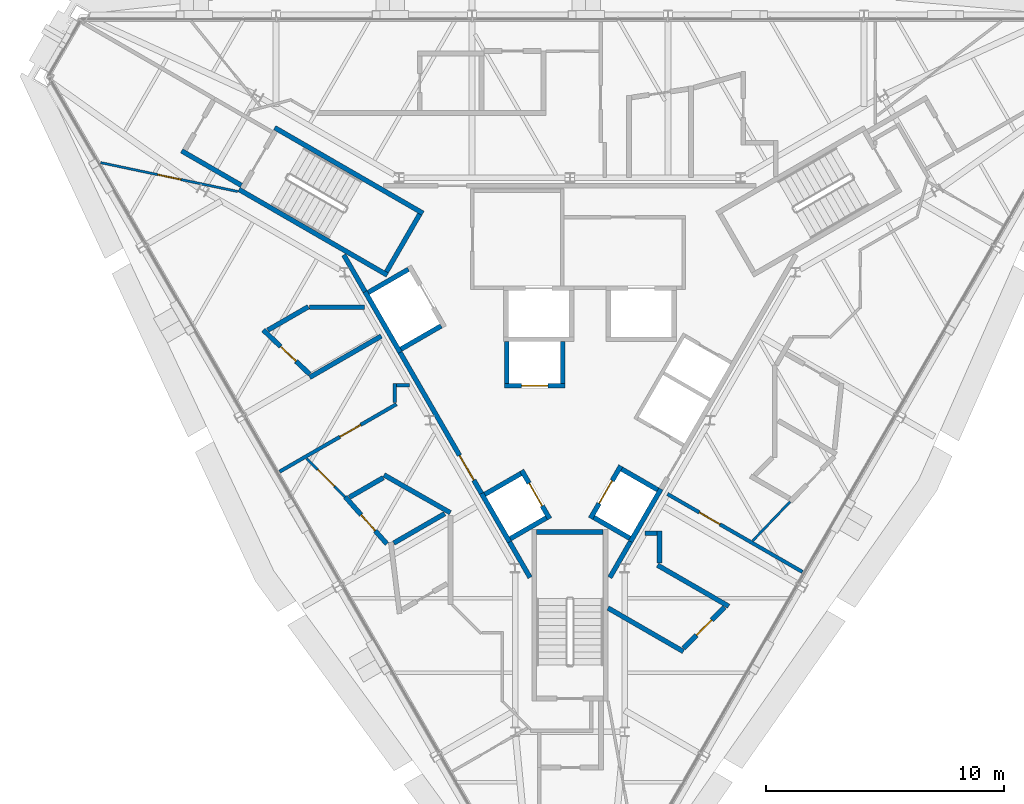
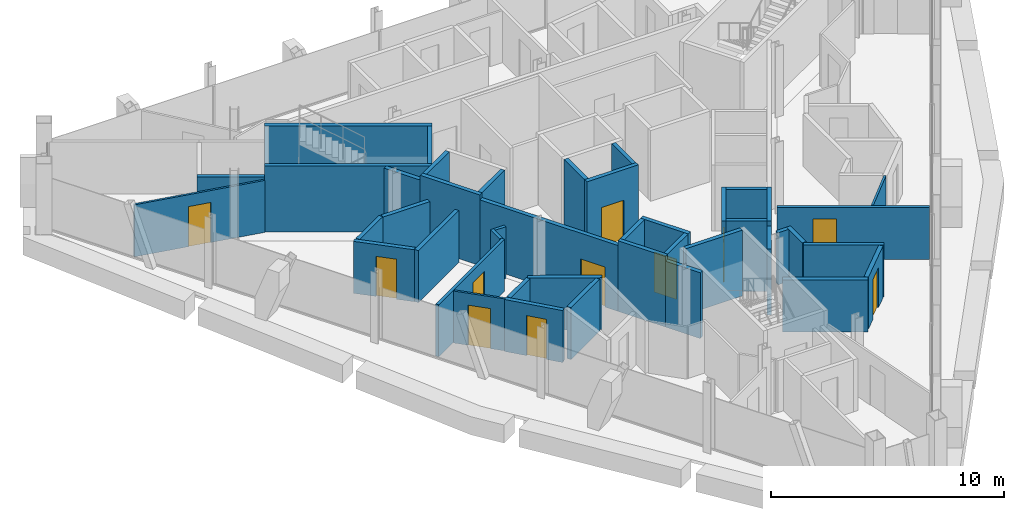
# One storey, part 9 of 14: 43 walls, 11 doors, 11 openings.
"""IFC4 building model written with IfcOpenShell, lengths in metres."""

from ifc_helpers import new_model, si_unit, direction, frame, frame_2d, origin, place, context, subcontext, project, spatial, rectangle, extrude, material, layer, layer_set, type_object, element, fill, save


model = new_model("IFC4")

# Units and contexts
model_context = context("Model", 3, precision=1e-05, world=origin(), true_north=direction((0.0, 1.0)))
body_context = subcontext(model_context, "Body", "Model", "MODEL_VIEW")
ifc_project = project(units=[si_unit("LENGTHUNIT", "METRE"), si_unit("AREAUNIT", "SQUARE_METRE"), si_unit("VOLUMEUNIT", "CUBIC_METRE"), si_unit("PLANEANGLEUNIT", "RADIAN"), si_unit("MASSUNIT", "GRAM", prefix="KILO")], contexts=[model_context])

# Site, building, storey
site_placement = place(None, origin())
site = spatial("IfcSite", under=ifc_project, at=site_placement, CompositionType="ELEMENT")
building_placement = place(site_placement, origin())
building = spatial("IfcBuilding", under=site, at=building_placement, Name="Verrane Prism Tower", CompositionType="ELEMENT")
storey_placement = place(building_placement, frame((0.0, 0.0, 293.60009765625)))
storey = spatial("IfcBuildingStorey", under=building, at=storey_placement, Name="L74", CompositionType="ELEMENT", Elevation=293.60009765625)

# Wall
ifc_material_1 = material(Name="Gypsum board partition", Category="other")
ifc_layer_1 = layer(ifc_material_1, 0.199951171875)
ifc_layer_set_1 = layer_set([ifc_layer_1], Name="CW-200 core boundary wall 2 h")
wall_type_1 = type_object("IfcWallType", Name="CW-200 core boundary wall 2 h", PredefinedType="PARTITIONING", material=ifc_layer_set_1)
wall_1_placement = place(storey_placement, frame((-9.509033203125, 3.550537109375, 0.0), z_axis=(0.0, 0.0, 1.0), x_axis=(0.499999136801, -0.866025902152, 0.0)))
element("IfcWall", 1, at=wall_1_placement, inside=storey, type_object=wall_type_1, Name="Core boundary wall CW3-001", PredefinedType="PARTITIONING", context=body_context, shape_type="SweptSolid", body=[
    extrude(rectangle(XDim=1.7822265625, YDim=0.199951171875, at=frame_2d((0.89111328125, 0.0))), origin(), (0.0, 0.0, 1.0), 3.449951171875),
])

# Wall, opening, door
wall_2_placement = place(storey_placement, frame((-7.14111328125, -0.551025390625, 0.0), z_axis=(0.0, 0.0, 1.0), x_axis=(0.500001302854, -0.86602465158, 0.0)))
wall_2 = element("IfcWall", 2, at=wall_2_placement, inside=storey, type_object=wall_type_1, Name="Core boundary wall CW3-003", PredefinedType="PARTITIONING", context=body_context, shape_type="SweptSolid", body=[
    extrude(rectangle(XDim=6.84619140625, YDim=0.199951171875, at=frame_2d((3.423095703125, 0.0))), origin(), (0.0, 0.0, 1.0), 3.449951171875),
])
opening_1_placement = place(wall_2_placement, frame((5.0, 0.0, 0.0)))
opening_1 = element("IfcOpeningElement", 3, at=opening_1_placement, cuts=wall_2, Name="Opening D72510", PredefinedType="OPENING", context=body_context, shape_type="SweptSolid", body=[
    extrude(rectangle(XDim=1.199951171875, YDim=2.10009765625, at=frame_2d((0.60009765625, 1.050048828125))), frame((0.0, 0.10986328125, 0.0), z_axis=(0.0, -1.0, 0.0), x_axis=(1.0, 0.0, 0.0)), (0.0, 0.0, 1.0), 0.219970703125),
])
ifc_material_2 = material(Name="Timber veneered door leaf", Category="wood")
door_type_1 = type_object("IfcDoorType", Name="DR-1200x2100 FD60 single leaf lift lobby", OperationType="NOTDEFINED", PredefinedType="DOOR", material=ifc_material_2)
door_1_placement = place(opening_1_placement, origin())
door_1 = element("IfcDoor", 4, at=door_1_placement, inside=storey, type_object=door_type_1, Name="Lift lobby door D72510", OperationType="SINGLE_SWING_RIGHT", OverallHeight=2.10009765625, OverallWidth=1.199951171875, PredefinedType="DOOR", context=body_context, shape_type="SweptSolid", body=[
    extrude(rectangle(XDim=1.199951171875, YDim=2.10009765625, at=frame_2d((0.60009765625, 1.050048828125))), frame((0.0, 0.02490234375, 0.0), z_axis=(0.0, -1.0, 0.0), x_axis=(1.0, 0.0, 0.0)), (0.0, 0.0, 1.0), 0.050048828125),
])
fill(opening_1, door_1)

# Walls
wall_3_placement = place(storey_placement, frame((-2.541015625, -8.51904296875, 0.0), z_axis=(0.0, 0.0, 1.0), x_axis=(0.500016142392, -0.86601608377, 0.0)))
element("IfcWall", 5, at=wall_3_placement, inside=storey, type_object=wall_type_1, Name="Core boundary wall CW3-004", PredefinedType="PARTITIONING", context=body_context, shape_type="SweptSolid", body=[
    extrude(rectangle(XDim=1.72705078125, YDim=0.199951171875, at=frame_2d((0.863525390625, 0.0))), origin(), (0.0, 0.0, 1.0), 3.449951171875),
])
wall_4_placement = place(storey_placement, frame((1.677490234375, -10.0146484375, 0.0), z_axis=(0.0, 0.0, 1.0), x_axis=(0.49983532306, 0.866120459187, 0.0)))
element("IfcWall", 6, at=wall_4_placement, inside=storey, type_object=wall_type_1, Name="Core boundary wall CW3-005", PredefinedType="PARTITIONING", context=body_context, shape_type="SweptSolid", body=[
    extrude(rectangle(XDim=1.74755859375, YDim=0.199951171875, at=frame_2d((0.873779296875, 0.0))), origin(), (0.0, 0.0, 1.0), 3.449951171875),
])
ifc_material_3 = material(Name="Concrete C40/50", Category="concrete")
ifc_layer_2 = layer(ifc_material_3, 0.199951171875)
ifc_layer_set_2 = layer_set([ifc_layer_2], Name="CW-200 stair core wall concrete C40/50 3 h")
wall_type_2 = type_object("IfcWallType", Name="CW-200 stair core wall concrete C40/50 3 h", PredefinedType="PARTITIONING", material=ifc_layer_set_2)
for number, where, z_axis, x_axis, name in (
    (7, (-7.67822265625, 2.700927734375, 0.0), (0.0, 0.0, 1.0), (-0.866018442252, 0.500012057535, 0.0), "Stair 2 enclosure wall"),
    (8, (-6.17822265625, 5.299072265625, 0.0), (0.0, 0.0, 1.0), (-0.866033125095, 0.499986626058, 0.0), "Stair 2 enclosure wall"),
):
    element("IfcWall", number, at=place(storey_placement, frame(where, z_axis=z_axis, x_axis=x_axis)), inside=storey, type_object=wall_type_2, Name=name, PredefinedType="PARTITIONING", context=body_context, shape_type="SweptSolid", body=[
        extrude(rectangle(XDim=7.199951171875, YDim=0.199951171875, at=frame_2d((3.60009765625, 0.0))), origin(), (0.0, 0.0, 1.0), 3.449951171875),
    ])
wall_5_placement = place(storey_placement, frame((-6.314697265625, 5.262451171875, 0.0), z_axis=(0.0, 0.0, 1.0), x_axis=(-0.500049511043, -0.865996816683, 0.0)))
element("IfcWall", 9, at=wall_5_placement, inside=storey, type_object=wall_type_2, Name="Stair 2 enclosure wall", PredefinedType="PARTITIONING", context=body_context, shape_type="SweptSolid", body=[
    extrude(rectangle(XDim=2.800048828125, YDim=0.199951171875, at=frame_2d((1.39990234375, 0.0))), origin(), (0.0, 0.0, 1.0), 3.449951171875),
])
wall_6_placement = place(storey_placement, frame((-1.39990234375, -8.10009765625, 0.0), z_axis=(0.0, 0.0, 1.0), x_axis=(1.0, 0.0, 0.0)))
element("IfcWall", 10, at=wall_6_placement, inside=storey, type_object=wall_type_2, Name="Stair 3 enclosure wall", PredefinedType="PARTITIONING", context=body_context, shape_type="SweptSolid", body=[
    extrude(rectangle(XDim=2.7998046875, YDim=0.199951171875, at=frame_2d((1.39990234375, 0.0))), origin(), (0.0, 0.0, 1.0), 3.449951171875),
])

# Wall, opening, door
ifc_material_4 = material(Name="Gypsum board shaft wall assembly", Category="other")
ifc_layer_3 = layer(ifc_material_4, 0.199951171875)
ifc_layer_set_3 = layer_set([ifc_layer_3], Name="HW-200 lift shaft wall 2 h")
wall_type_3 = type_object("IfcWallType", Name="HW-200 lift shaft wall 2 h", PredefinedType="PARTITIONING", material=ifc_layer_set_3)
wall_7_placement = place(storey_placement, frame((-2.7548828125, -1.949951171875, 0.0), z_axis=(0.0, 0.0, 1.0), x_axis=(1.0, 0.0, 0.0)))
wall_7 = element("IfcWall", 11, at=wall_7_placement, inside=storey, type_object=wall_type_3, Name="Lift shaft wall", PredefinedType="PARTITIONING", context=body_context, shape_type="SweptSolid", body=[
    extrude(rectangle(XDim=2.5498046875, YDim=0.199951171875, at=frame_2d((1.27490234375, 0.0))), origin(), (0.0, 0.0, 1.0), 3.699951171875),
])
opening_2_placement = place(wall_7_placement, frame((0.72509765625, 0.0, 0.0)))
opening_2 = element("IfcOpeningElement", 12, at=opening_2_placement, cuts=wall_7, Name="Opening D72504", PredefinedType="OPENING", context=body_context, shape_type="SweptSolid", body=[
    extrude(rectangle(XDim=1.10009765625, YDim=2.10009765625, at=frame_2d((0.550048828125, 1.050048828125))), frame((0.0, 0.10986328125, 0.0), z_axis=(0.0, -1.0, 0.0), x_axis=(1.0, 0.0, 0.0)), (0.0, 0.0, 1.0), 0.219970703125),
])
ifc_material_5 = material(Name="Stainless steel sliding landing door", Category="steel")
door_type_2 = type_object("IfcDoorType", Name="LD-1100x2100 lift landing door FD90 sliding", OperationType="NOTDEFINED", PredefinedType="DOOR", material=ifc_material_5)
door_2_placement = place(opening_2_placement, origin())
door_2 = element("IfcDoor", 13, at=door_2_placement, inside=storey, type_object=door_type_2, Name="Bank C lift 2 landing door", OperationType="SLIDING_TO_RIGHT", OverallHeight=2.10009765625, OverallWidth=1.10009765625, PredefinedType="DOOR", context=body_context, shape_type="SweptSolid", body=[
    extrude(rectangle(XDim=1.10009765625, YDim=2.10009765625, at=frame_2d((0.550048828125, 1.050048828125))), frame((0.0, 0.02490234375, 0.0), z_axis=(0.0, -1.0, 0.0), x_axis=(1.0, 0.0, 0.0)), (0.0, 0.0, 1.0), 0.050048828125),
])
fill(opening_2, door_2)

# Walls
for number, where, z_axis, x_axis, name in (
    (14, (-2.50537109375, -8.38037109375, 0.0), (0.0, 0.0, 1.0), (0.866002029911, 0.500040482552, 0.0), "Lift shaft wall"),
    (15, (-3.580322265625, -6.5185546875, 0.0), (0.0, 0.0, 1.0), (0.866002029911, 0.500040482552, 0.0), "Lift shaft wall"),
):
    element("IfcWall", number, at=place(storey_placement, frame(where, z_axis=z_axis, x_axis=x_axis)), inside=storey, type_object=wall_type_3, Name=name, PredefinedType="PARTITIONING", context=body_context, shape_type="SweptSolid", body=[
        extrude(rectangle(XDim=1.749755859375, YDim=0.199951171875, at=frame_2d((0.875, 0.0))), origin(), (0.0, 0.0, 1.0), 3.699951171875),
    ])
for number, where, z_axis, x_axis, name in (
    (16, (-7.10546875, -0.4130859375, 0.0), (0.0, 0.0, 1.0), (0.866000020948, 0.500043961785, 0.0), "Lift shaft wall"),
    (17, (-8.48046875, 1.968505859375, 0.0), (0.0, 0.0, 1.0), (0.866000020948, 0.500043961785, 0.0), "Lift shaft wall"),
):
    element("IfcWall", number, at=place(storey_placement, frame(where, z_axis=z_axis, x_axis=x_axis)), inside=storey, type_object=wall_type_3, Name=name, PredefinedType="PARTITIONING", context=body_context, shape_type="SweptSolid", body=[
        extrude(rectangle(XDim=1.949951171875, YDim=0.199951171875, at=frame_2d((0.97509765625, 0.0))), origin(), (0.0, 0.0, 1.0), 3.699951171875),
    ])
wall_8_placement = place(storey_placement, frame((2.552001953125, -8.499755859375, 0.0), z_axis=(0.0, 0.0, 1.0), x_axis=(0.499990435942, 0.866030925526, 0.0)))
element("IfcWall", 18, at=wall_8_placement, inside=storey, type_object=wall_type_3, Name="Lift shaft wall", PredefinedType="PARTITIONING", context=body_context, shape_type="SweptSolid", body=[
    extrude(rectangle(XDim=2.5498046875, YDim=0.199951171875, at=frame_2d((1.27490234375, 0.0))), origin(), (0.0, 0.0, 1.0), 3.699951171875),
])

# Wall, opening, door
wall_9_placement = place(storey_placement, frame((0.86328125, -7.524658203125, 0.0), z_axis=(0.0, 0.0, 1.0), x_axis=(0.499990435942, 0.866030925526, 0.0)))
wall_9 = element("IfcWall", 19, at=wall_9_placement, inside=storey, type_object=wall_type_3, Name="Lift shaft wall", PredefinedType="PARTITIONING", context=body_context, shape_type="SweptSolid", body=[
    extrude(rectangle(XDim=2.5498046875, YDim=0.199951171875, at=frame_2d((1.27490234375, 0.0))), origin(), (0.0, 0.0, 1.0), 3.699951171875),
])
opening_3_placement = place(wall_9_placement, frame((0.72509765625, 0.0, 0.0)))
opening_3 = element("IfcOpeningElement", 20, at=opening_3_placement, cuts=wall_9, Name="Opening D72505", PredefinedType="OPENING", context=body_context, shape_type="SweptSolid", body=[
    extrude(rectangle(XDim=1.10009765625, YDim=2.10009765625, at=frame_2d((0.550048828125, 1.050048828125))), frame((0.0, 0.10986328125, 0.0), z_axis=(0.0, -1.0, 0.0), x_axis=(1.0, 0.0, 0.0)), (0.0, 0.0, 1.0), 0.219970703125),
])
door_3_placement = place(opening_3_placement, origin())
door_3 = element("IfcDoor", 21, at=door_3_placement, inside=storey, type_object=door_type_2, Name="Bank C lift 3 landing door", OperationType="SLIDING_TO_LEFT", OverallHeight=2.10009765625, OverallWidth=1.10009765625, PredefinedType="DOOR", context=body_context, shape_type="SweptSolid", body=[
    extrude(rectangle(XDim=1.10009765625, YDim=2.10009765625, at=frame_2d((0.550048828125, 1.050048828125))), frame((0.0, 0.02490234375, 0.0), z_axis=(0.0, -1.0, 0.0), x_axis=(1.0, 0.0, 0.0)), (0.0, 0.0, 1.0), 0.050048828125),
])
fill(opening_3, door_3)

# Walls
for number, where, z_axis, x_axis, name in (
    (22, (-0.304931640625, -1.85009765625, 0.0), (0.0, 0.0, 1.0), (0.0, 1.0, 0.0), "Lift shaft wall"),
    (23, (-2.655029296875, -1.85009765625, 0.0), (0.0, 0.0, 1.0), (0.0, 1.0, 0.0), "Lift shaft wall"),
):
    element("IfcWall", number, at=place(storey_placement, frame(where, z_axis=z_axis, x_axis=x_axis)), inside=storey, type_object=wall_type_3, Name=name, PredefinedType="PARTITIONING", context=body_context, shape_type="SweptSolid", body=[
        extrude(rectangle(XDim=1.75, YDim=0.199951171875, at=frame_2d((0.875, 0.0))), origin(), (0.0, 0.0, 1.0), 3.699951171875),
    ])

# Wall, opening, door
wall_10_placement = place(storey_placement, frame((-0.853271484375, -7.5419921875, 0.0), z_axis=(0.0, 0.0, 1.0), x_axis=(-0.500016218704, 0.866016039709, 0.0)))
wall_10 = element("IfcWall", 24, at=wall_10_placement, inside=storey, type_object=wall_type_3, Name="Lift shaft wall", PredefinedType="PARTITIONING", context=body_context, shape_type="SweptSolid", body=[
    extrude(rectangle(XDim=2.35009765625, YDim=0.199951171875, at=frame_2d((1.175048828125, 0.0))), origin(), (0.0, 0.0, 1.0), 3.699951171875),
])
opening_4_placement = place(wall_10_placement, frame((0.625, 0.0, 0.0)))
opening_4 = element("IfcOpeningElement", 25, at=opening_4_placement, cuts=wall_10, Name="Opening D72503", PredefinedType="OPENING", context=body_context, shape_type="SweptSolid", body=[
    extrude(rectangle(XDim=1.10009765625, YDim=2.10009765625, at=frame_2d((0.550048828125, 1.050048828125))), frame((0.0, 0.10986328125, 0.0), z_axis=(0.0, -1.0, 0.0), x_axis=(1.0, 0.0, 0.0)), (0.0, 0.0, 1.0), 0.219970703125),
])
door_4_placement = place(opening_4_placement, origin())
door_4 = element("IfcDoor", 26, at=door_4_placement, inside=storey, type_object=door_type_2, Name="Bank C lift 1 landing door", OperationType="SLIDING_TO_LEFT", OverallHeight=2.10009765625, OverallWidth=1.10009765625, PredefinedType="DOOR", context=body_context, shape_type="SweptSolid", body=[
    extrude(rectangle(XDim=1.10009765625, YDim=2.10009765625, at=frame_2d((0.550048828125, 1.050048828125))), frame((0.0, 0.02490234375, 0.0), z_axis=(0.0, -1.0, 0.0), x_axis=(1.0, 0.0, 0.0)), (0.0, 0.0, 1.0), 0.050048828125),
])
fill(opening_4, door_4)

# Walls
wall_11_placement = place(storey_placement, frame((-2.5419921875, -8.51708984375, 0.0), z_axis=(0.0, 0.0, 1.0), x_axis=(-0.500016218704, 0.866016039709, 0.0)))
element("IfcWall", 27, at=wall_11_placement, inside=storey, type_object=wall_type_3, Name="Lift shaft wall", PredefinedType="PARTITIONING", context=body_context, shape_type="SweptSolid", body=[
    extrude(rectangle(XDim=2.35009765625, YDim=0.199951171875, at=frame_2d((1.175048828125, 0.0))), origin(), (0.0, 0.0, 1.0), 3.699951171875),
])
wall_12_placement = place(storey_placement, frame((-7.14208984375, -0.549560546875, 0.0), z_axis=(0.0, 0.0, 1.0), x_axis=(-0.49997559174, 0.866039495442, 0.0)))
element("IfcWall", 28, at=wall_12_placement, inside=storey, type_object=wall_type_3, Name="Lift shaft wall", PredefinedType="PARTITIONING", context=body_context, shape_type="SweptSolid", body=[
    extrude(rectangle(XDim=2.949951171875, YDim=0.199951171875, at=frame_2d((1.47509765625, 0.0))), origin(), (0.0, 0.0, 1.0), 3.699951171875),
])
for number, where, z_axis, x_axis, name in (
    (29, (3.6904296875, -6.327880859375, 0.0), (0.0, 0.0, 1.0), (-0.866036909293, 0.499980071345, 0.0), "Lift shaft wall"),
    (30, (2.515380859375, -8.36328125, 0.0), (0.0, 0.0, 1.0), (-0.866036909293, 0.499980071345, 0.0), "Lift shaft wall"),
):
    element("IfcWall", number, at=place(storey_placement, frame(where, z_axis=z_axis, x_axis=x_axis)), inside=storey, type_object=wall_type_3, Name=name, PredefinedType="PARTITIONING", context=body_context, shape_type="SweptSolid", body=[
        extrude(rectangle(XDim=1.75, YDim=0.199951171875, at=frame_2d((0.875, 0.0))), origin(), (0.0, 0.0, 1.0), 3.699951171875),
    ])

# Wall, opening, door
ifc_material_6 = material(Name="Gypsum board partition", Category="other")
ifc_layer_4 = layer(ifc_material_6, 0.10009765625)
ifc_layer_set_4 = layer_set([ifc_layer_4], Name="PW-100 room partition")
wall_type_4 = type_object("IfcWallType", Name="PW-100 room partition", PredefinedType="PARTITIONING", material=ifc_layer_set_4)
wall_13_placement = place(storey_placement, frame((-19.728759765625, 7.428466796875, 0.0), z_axis=(0.0, 0.0, 1.0), x_axis=(0.97852427483, -0.206131617102, 0.0)))
wall_13 = element("IfcWall", 31, at=wall_13_placement, inside=storey, type_object=wall_type_4, Name="Room partition 002", PredefinedType="PARTITIONING", context=body_context, shape_type="SweptSolid", body=[
    extrude(rectangle(XDim=5.89111328125, YDim=0.10009765625, at=frame_2d((2.945556640625, 0.0))), origin(), (0.0, 0.0, 1.0), 2.722900390625),
])
opening_5_placement = place(wall_13_placement, frame((2.44970703125, 0.0, 0.0)))
opening_5 = element("IfcOpeningElement", 32, at=opening_5_placement, cuts=wall_13, Name="Opening D72021", PredefinedType="OPENING", context=body_context, shape_type="SweptSolid", body=[
    extrude(rectangle(XDim=1.0, YDim=2.10009765625, at=frame_2d((0.5, 1.050048828125))), frame((0.0, 0.06005859375, 0.0), z_axis=(0.0, -1.0, 0.0), x_axis=(1.0, 0.0, 0.0)), (0.0, 0.0, 1.0), 0.1201171875),
])
ifc_material_7 = material(Name="Timber veneered door leaf", Category="wood")
door_type_3 = type_object("IfcDoorType", Name="DR-1000x2100 single leaf inner", OperationType="NOTDEFINED", PredefinedType="DOOR", material=ifc_material_7)
door_5_placement = place(opening_5_placement, origin())
door_5 = element("IfcDoor", 33, at=door_5_placement, inside=storey, type_object=door_type_3, Name="Living And Dining Room door", OperationType="SINGLE_SWING_LEFT", OverallHeight=2.10009765625, OverallWidth=1.0, PredefinedType="DOOR", context=body_context, shape_type="SweptSolid", body=[
    extrude(rectangle(XDim=1.0, YDim=2.10009765625, at=frame_2d((0.5, 1.050048828125))), frame((0.0, 0.02490234375, 0.0), z_axis=(0.0, -1.0, 0.0), x_axis=(1.0, 0.0, 0.0)), (0.0, 0.0, 1.0), 0.050048828125),
])
fill(opening_5, door_5)

wall_14_placement = place(storey_placement, frame((-9.4521484375, -6.626708984375, 0.0), z_axis=(0.0, 0.0, 1.0), x_axis=(-0.707106781187, 0.707106781187, 0.0)))
wall_14 = element("IfcWall", 34, at=wall_14_placement, inside=storey, type_object=wall_type_4, Name="Room partition 013", PredefinedType="PARTITIONING", context=body_context, shape_type="SweptSolid", body=[
    extrude(rectangle(XDim=2.288818359375, YDim=0.10009765625, at=frame_2d((1.14453125, 0.0))), origin(), (0.0, 0.0, 1.0), 2.722900390625),
])
opening_6_placement = place(wall_14_placement, frame((0.6298828125, 0.0, 0.0)))
opening_6 = element("IfcOpeningElement", 35, at=opening_6_placement, cuts=wall_14, Name="Opening D72023", PredefinedType="OPENING", context=body_context, shape_type="SweptSolid", body=[
    extrude(rectangle(XDim=1.0, YDim=2.10009765625, at=frame_2d((0.5, 1.050048828125))), frame((0.0, 0.06005859375, 0.0), z_axis=(0.0, -1.0, 0.0), x_axis=(1.0, 0.0, 0.0)), (0.0, 0.0, 1.0), 0.1201171875),
])
door_6_placement = place(opening_6_placement, origin())
door_6 = element("IfcDoor", 36, at=door_6_placement, inside=storey, type_object=door_type_3, Name="Entrance Foyer door", OperationType="SINGLE_SWING_RIGHT", OverallHeight=2.10009765625, OverallWidth=1.0, PredefinedType="DOOR", context=body_context, shape_type="SweptSolid", body=[
    extrude(rectangle(XDim=1.0, YDim=2.10009765625, at=frame_2d((0.5, 1.050048828125))), frame((0.0, 0.02490234375, 0.0), z_axis=(0.0, -1.0, 0.0), x_axis=(1.0, 0.0, 0.0)), (0.0, 0.0, 1.0), 0.050048828125),
])
fill(opening_6, door_6)

# Wall
wall_15_placement = place(storey_placement, frame((7.680908203125, -8.470458984375, 0.0), z_axis=(0.0, 0.0, 1.0), x_axis=(0.691774963189, 0.722113149239, 0.0)))
element("IfcWall", 37, at=wall_15_placement, inside=storey, type_object=wall_type_4, Name="Room partition 058", PredefinedType="PARTITIONING", context=body_context, shape_type="SweptSolid", body=[
    extrude(rectangle(XDim=2.27734375, YDim=0.10009765625, at=frame_2d((1.138671875, 0.0))), origin(), (0.0, 0.0, 1.0), 2.722900390625),
])

# Wall, opening, door
ifc_material_8 = material(Name="Gypsum board partition", Category="other")
ifc_layer_5 = layer(ifc_material_8, 0.14990234375)
ifc_layer_set_5 = layer_set([ifc_layer_5], Name="PW-150 demising wall 1 h")
wall_type_5 = type_object("IfcWallType", Name="PW-150 demising wall 1 h", PredefinedType="PARTITIONING", material=ifc_layer_set_5)
wall_16_placement = place(storey_placement, frame((-12.205078125, -5.562255859375, 0.0), z_axis=(0.0, 0.0, 1.0), x_axis=(0.866006351856, 0.500032997455, 0.0)))
wall_16 = element("IfcWall", 38, at=wall_16_placement, inside=storey, type_object=wall_type_5, Name="Demising wall 011", PredefinedType="PARTITIONING", context=body_context, shape_type="SweptSolid", body=[
    extrude(rectangle(XDim=5.6708984375, YDim=0.14990234375, at=frame_2d((2.83544921875, 0.0))), origin(), (0.0, 0.0, 1.0), 2.722900390625),
])
opening_7_placement = place(wall_16_placement, frame((2.935302734375, 0.0, 0.0)))
opening_7 = element("IfcOpeningElement", 39, at=opening_7_placement, cuts=wall_16, Name="Opening D72019", PredefinedType="OPENING", context=body_context, shape_type="SweptSolid", body=[
    extrude(rectangle(XDim=1.0, YDim=2.10009765625, at=frame_2d((0.5, 1.050048828125))), frame((0.0, 0.0849609375, 0.0), z_axis=(0.0, -1.0, 0.0), x_axis=(1.0, 0.0, 0.0)), (0.0, 0.0, 1.0), 0.169921875),
])
ifc_material_9 = material(Name="Timber veneered door leaf", Category="wood")
door_type_4 = type_object("IfcDoorType", Name="DR-1000x2100 FD20 single leaf inner", OperationType="NOTDEFINED", PredefinedType="DOOR", material=ifc_material_9)
door_7_placement = place(opening_7_placement, origin())
door_7 = element("IfcDoor", 40, at=door_7_placement, inside=storey, type_object=door_type_4, Name="Entrance Foyer door", OperationType="SINGLE_SWING_LEFT", OverallHeight=2.10009765625, OverallWidth=1.0, PredefinedType="DOOR", context=body_context, shape_type="SweptSolid", body=[
    extrude(rectangle(XDim=1.0, YDim=2.10009765625, at=frame_2d((0.5, 1.050048828125))), frame((0.0, 0.02490234375, 0.0), z_axis=(0.0, -1.0, 0.0), x_axis=(1.0, 0.0, 0.0)), (0.0, 0.0, 1.0), 0.050048828125),
])
fill(opening_7, door_7)

# Walls
wall_17_placement = place(storey_placement, frame((-7.35888671875, -2.6640625, 0.0), z_axis=(0.0, 0.0, 1.0), x_axis=(0.0, 1.0, 0.0)))
element("IfcWall", 41, at=wall_17_placement, inside=storey, type_object=wall_type_5, Name="Demising wall 022", PredefinedType="PARTITIONING", context=body_context, shape_type="SweptSolid", body=[
    extrude(rectangle(XDim=0.80810546875, YDim=0.14990234375, at=frame_2d((0.404052734375, 0.0))), origin(), (0.0, 0.0, 1.0), 2.722900390625),
])
wall_18_placement = place(storey_placement, frame((-7.283935546875, -1.930908203125, 0.0), z_axis=(0.0, 0.0, 1.0), x_axis=(1.0, 0.0, 0.0)))
element("IfcWall", 42, at=wall_18_placement, inside=storey, type_object=wall_type_5, Name="Demising wall 023", PredefinedType="PARTITIONING", context=body_context, shape_type="SweptSolid", body=[
    extrude(rectangle(XDim=0.546875, YDim=0.14990234375, at=frame_2d((0.2734375, 0.0))), origin(), (0.0, 0.0, 1.0), 2.722900390625),
])

# Wall, opening, door
wall_19_placement = place(storey_placement, frame((9.771728515625, -9.77685546875, 0.0), z_axis=(0.0, 0.0, 1.0), x_axis=(-0.866083818164, 0.499898809675, 0.0)))
wall_19 = element("IfcWall", 43, at=wall_19_placement, inside=storey, type_object=wall_type_5, Name="Demising wall 052", PredefinedType="PARTITIONING", context=body_context, shape_type="SweptSolid", body=[
    extrude(rectangle(XDim=6.551025390625, YDim=0.14990234375, at=frame_2d((3.275390625, 0.0))), origin(), (0.0, 0.0, 1.0), 2.722900390625),
])
opening_8_placement = place(wall_19_placement, frame((4.0009765625, 0.0, 0.0)))
opening_8 = element("IfcOpeningElement", 44, at=opening_8_placement, cuts=wall_19, Name="Opening D72001", PredefinedType="OPENING", context=body_context, shape_type="SweptSolid", body=[
    extrude(rectangle(XDim=1.0, YDim=2.10009765625, at=frame_2d((0.5, 1.050048828125))), frame((0.0, 0.0849609375, 0.0), z_axis=(0.0, -1.0, 0.0), x_axis=(1.0, 0.0, 0.0)), (0.0, 0.0, 1.0), 0.169921875),
])
door_8_placement = place(opening_8_placement, origin())
door_8 = element("IfcDoor", 45, at=door_8_placement, inside=storey, type_object=door_type_4, Name="Entrance Foyer door", OperationType="SINGLE_SWING_RIGHT", OverallHeight=2.10009765625, OverallWidth=1.0, PredefinedType="DOOR", context=body_context, shape_type="SweptSolid", body=[
    extrude(rectangle(XDim=1.0, YDim=2.10009765625, at=frame_2d((0.5, 1.050048828125))), frame((0.0, 0.02490234375, 0.0), z_axis=(0.0, -1.0, 0.0), x_axis=(1.0, 0.0, 0.0)), (0.0, 0.0, 1.0), 0.050048828125),
])
fill(opening_8, door_8)

# Walls
ifc_material_10 = material(Name="Gypsum board partition", Category="other")
ifc_layer_6 = layer(ifc_material_10, 0.199951171875)
ifc_layer_set_6 = layer_set([ifc_layer_6], Name="PW-200 plumbing wall")
wall_type_6 = type_object("IfcWallType", Name="PW-200 plumbing wall", PredefinedType="PARTITIONING", material=ifc_layer_set_6)
wall_20_placement = place(storey_placement, frame((-16.32470703125, 7.924072265625, 0.0), z_axis=(0.0, 0.0, 1.0), x_axis=(0.865969617579, -0.500096612097, 0.0)))
element("IfcWall", 46, at=wall_20_placement, inside=storey, type_object=wall_type_6, Name="Plumbing wall 004", PredefinedType="PARTITIONING", context=body_context, shape_type="SweptSolid", body=[
    extrude(rectangle(XDim=2.8994140625, YDim=0.199951171875, at=frame_2d((1.44970703125, 0.0))), origin(), (0.0, 0.0, 1.0), 2.722900390625),
])
wall_21_placement = place(storey_placement, frame((-12.701171875, 0.386474609375, 0.0), z_axis=(0.0, 0.0, 1.0), x_axis=(0.866028603765, 0.49999445743, 0.0)))
element("IfcWall", 47, at=wall_21_placement, inside=storey, type_object=wall_type_6, Name="Plumbing wall 009", PredefinedType="PARTITIONING", context=body_context, shape_type="SweptSolid", body=[
    extrude(rectangle(XDim=1.96826171875, YDim=0.199951171875, at=frame_2d((0.984130859375, 0.0))), origin(), (0.0, 0.0, 1.0), 2.722900390625),
])

# Wall, opening, door
wall_22_placement = place(storey_placement, frame((-12.890380859375, 0.387939453125, 0.0), z_axis=(0.0, 0.0, 1.0), x_axis=(0.724395225918, -0.689384911836, 0.0)))
wall_22 = element("IfcWall", 48, at=wall_22_placement, inside=storey, type_object=wall_type_6, Name="Plumbing wall 010", PredefinedType="PARTITIONING", context=body_context, shape_type="SweptSolid", body=[
    extrude(rectangle(XDim=2.684814453125, YDim=0.199951171875, at=frame_2d((1.34228515625, 0.0))), origin(), (0.0, 0.0, 1.0), 2.722900390625),
])
opening_9_placement = place(wall_22_placement, frame((1.0, 0.0, 0.0)))
opening_9 = element("IfcOpeningElement", 49, at=opening_9_placement, cuts=wall_22, Name="Opening D72020", PredefinedType="OPENING", context=body_context, shape_type="SweptSolid", body=[
    extrude(rectangle(XDim=0.89990234375, YDim=2.10009765625, at=frame_2d((0.449951171875, 1.050048828125))), frame((0.0, 0.10986328125, 0.0), z_axis=(0.0, -1.0, 0.0), x_axis=(1.0, 0.0, 0.0)), (0.0, 0.0, 1.0), 0.219970703125),
])
ifc_material_11 = material(Name="Timber veneered door leaf", Category="wood")
door_type_5 = type_object("IfcDoorType", Name="DR-900x2100 single leaf inner", OperationType="NOTDEFINED", PredefinedType="DOOR", material=ifc_material_11)
door_9_placement = place(opening_9_placement, origin())
door_9 = element("IfcDoor", 50, at=door_9_placement, inside=storey, type_object=door_type_5, Name="Kitchen door", OperationType="SINGLE_SWING_RIGHT", OverallHeight=2.10009765625, OverallWidth=0.89990234375, PredefinedType="DOOR", context=body_context, shape_type="SweptSolid", body=[
    extrude(rectangle(XDim=0.89990234375, YDim=2.10009765625, at=frame_2d((0.449951171875, 1.050048828125))), frame((0.0, 0.02490234375, 0.0), z_axis=(0.0, -1.0, 0.0), x_axis=(1.0, 0.0, 0.0)), (0.0, 0.0, 1.0), 0.050048828125),
])
fill(opening_9, door_9)

# Walls
wall_23_placement = place(storey_placement, frame((-10.948974609375, 1.35107421875, 0.0), z_axis=(0.0, 0.0, 1.0), x_axis=(1.0, 0.0, 0.0)))
element("IfcWall", 51, at=wall_23_placement, inside=storey, type_object=wall_type_6, Name="Plumbing wall 014", PredefinedType="PARTITIONING", context=body_context, shape_type="SweptSolid", body=[
    extrude(rectangle(XDim=2.31689453125, YDim=0.199951171875, at=frame_2d((1.158447265625, 0.0))), origin(), (0.0, 0.0, 1.0), 2.722900390625),
])
wall_24_placement = place(storey_placement, frame((-10.941650390625, -1.598876953125, 0.0), z_axis=(0.0, 0.0, 1.0), x_axis=(0.866134116492, 0.499811656775, 0.0)))
element("IfcWall", 52, at=wall_24_placement, inside=storey, type_object=wall_type_6, Name="Plumbing wall 015", PredefinedType="PARTITIONING", context=body_context, shape_type="SweptSolid", body=[
    extrude(rectangle(XDim=3.474853515625, YDim=0.199951171875, at=frame_2d((1.7373046875, 0.0))), origin(), (0.0, 0.0, 1.0), 2.722900390625),
])
wall_25_placement = place(storey_placement, frame((-9.269775390625, -6.638427734375, 0.0), z_axis=(0.0, 0.0, 1.0), x_axis=(0.865883664904, 0.500245418622, 0.0)))
element("IfcWall", 53, at=wall_25_placement, inside=storey, type_object=wall_type_6, Name="Plumbing wall 017", PredefinedType="PARTITIONING", context=body_context, shape_type="SweptSolid", body=[
    extrude(rectangle(XDim=1.643310546875, YDim=0.199951171875, at=frame_2d((0.82177734375, 0.0))), origin(), (0.0, 0.0, 1.0), 2.722900390625),
])

# Wall, opening, door
wall_26_placement = place(storey_placement, frame((-9.4443359375, -6.626220703125, 0.0), z_axis=(0.0, 0.0, 1.0), x_axis=(0.662869305379, -0.748735122715, 0.0)))
wall_26 = element("IfcWall", 54, at=wall_26_placement, inside=storey, type_object=wall_type_6, Name="Plumbing wall 018", PredefinedType="PARTITIONING", context=body_context, shape_type="SweptSolid", body=[
    extrude(rectangle(XDim=2.638671875, YDim=0.199951171875, at=frame_2d((1.3193359375, 0.0))), origin(), (0.0, 0.0, 1.0), 2.722900390625),
])
opening_10_placement = place(wall_26_placement, frame((1.0, 0.0, 0.0)))
opening_10 = element("IfcOpeningElement", 55, at=opening_10_placement, cuts=wall_26, Name="Opening D72024", PredefinedType="OPENING", context=body_context, shape_type="SweptSolid", body=[
    extrude(rectangle(XDim=0.89990234375, YDim=2.10009765625, at=frame_2d((0.449951171875, 1.050048828125))), frame((0.0, 0.10986328125, 0.0), z_axis=(0.0, -1.0, 0.0), x_axis=(1.0, 0.0, 0.0)), (0.0, 0.0, 1.0), 0.219970703125),
])
door_10_placement = place(opening_10_placement, origin())
door_10 = element("IfcDoor", 56, at=door_10_placement, inside=storey, type_object=door_type_5, Name="Kitchen door", OperationType="SINGLE_SWING_RIGHT", OverallHeight=2.10009765625, OverallWidth=0.89990234375, PredefinedType="DOOR", context=body_context, shape_type="SweptSolid", body=[
    extrude(rectangle(XDim=0.89990234375, YDim=2.10009765625, at=frame_2d((0.449951171875, 1.050048828125))), frame((0.0, 0.02490234375, 0.0), z_axis=(0.0, -1.0, 0.0), x_axis=(1.0, 0.0, 0.0)), (0.0, 0.0, 1.0), 0.050048828125),
])
fill(opening_10, door_10)

# Walls
wall_27_placement = place(storey_placement, frame((-7.81689453125, -5.699462890625, 0.0), z_axis=(0.0, 0.0, 1.0), x_axis=(0.868528315933, -0.495639550906, 0.0)))
element("IfcWall", 57, at=wall_27_placement, inside=storey, type_object=wall_type_6, Name="Plumbing wall 019", PredefinedType="PARTITIONING", context=body_context, shape_type="SweptSolid", body=[
    extrude(rectangle(XDim=3.212158203125, YDim=0.199951171875, at=frame_2d((1.60595703125, 0.0))), origin(), (0.0, 0.0, 1.0), 2.722900390625),
])
wall_28_placement = place(storey_placement, frame((-7.406494140625, -8.56494140625, 0.0), z_axis=(0.0, 0.0, 1.0), x_axis=(0.866144473187, 0.499793709012, 0.0)))
element("IfcWall", 58, at=wall_28_placement, inside=storey, type_object=wall_type_6, Name="Plumbing wall 021", PredefinedType="PARTITIONING", context=body_context, shape_type="SweptSolid", body=[
    extrude(rectangle(XDim=2.4716796875, YDim=0.199951171875, at=frame_2d((1.23583984375, 0.0))), origin(), (0.0, 0.0, 1.0), 2.722900390625),
])
wall_29_placement = place(storey_placement, frame((1.60009765625, -11.294921875, 0.0), z_axis=(0.0, 0.0, 1.0), x_axis=(0.866067869506, -0.499926439998, 0.0)))
element("IfcWall", 59, at=wall_29_placement, inside=storey, type_object=wall_type_6, Name="Plumbing wall 046", PredefinedType="PARTITIONING", context=body_context, shape_type="SweptSolid", body=[
    extrude(rectangle(XDim=3.66064453125, YDim=0.199951171875, at=frame_2d((1.830322265625, 0.0))), origin(), (0.0, 0.0, 1.0), 2.722900390625),
])
wall_30_placement = place(storey_placement, frame((3.14599609375, -8.15087890625, 0.0), z_axis=(0.0, 0.0, 1.0), x_axis=(1.0, 0.0, 0.0)))
element("IfcWall", 60, at=wall_30_placement, inside=storey, type_object=wall_type_6, Name="Plumbing wall 049", PredefinedType="PARTITIONING", context=body_context, shape_type="SweptSolid", body=[
    extrude(rectangle(XDim=0.52294921875, YDim=0.199951171875, at=frame_2d((0.261474609375, 0.0))), origin(), (0.0, 0.0, 1.0), 2.722900390625),
])
wall_31_placement = place(storey_placement, frame((3.76904296875, -9.409912109375, 0.0), z_axis=(0.0, 0.0, 1.0), x_axis=(0.0, 1.0, 0.0)))
element("IfcWall", 61, at=wall_31_placement, inside=storey, type_object=wall_type_6, Name="Plumbing wall 050", PredefinedType="PARTITIONING", context=body_context, shape_type="SweptSolid", body=[
    extrude(rectangle(XDim=1.35888671875, YDim=0.199951171875, at=frame_2d((0.679443359375, 0.0))), origin(), (0.0, 0.0, 1.0), 2.722900390625),
])
wall_32_placement = place(storey_placement, frame((3.682373046875, -9.4951171875, 0.0), z_axis=(0.0, 0.0, 1.0), x_axis=(0.866046690806, -0.499963127985, 0.0)))
element("IfcWall", 62, at=wall_32_placement, inside=storey, type_object=wall_type_6, Name="Plumbing wall 051", PredefinedType="PARTITIONING", context=body_context, shape_type="SweptSolid", body=[
    extrude(rectangle(XDim=3.453857421875, YDim=0.199951171875, at=frame_2d((1.72705078125, 0.0))), origin(), (0.0, 0.0, 1.0), 2.722900390625),
])

# Wall, opening, door
wall_33_placement = place(storey_placement, frame((4.7724609375, -12.986572265625, 0.0), z_axis=(0.0, 0.0, 1.0), x_axis=(0.707106781187, 0.707106781187, 0.0)))
wall_33 = element("IfcWall", 63, at=wall_33_placement, inside=storey, type_object=wall_type_6, Name="Plumbing wall 053", PredefinedType="PARTITIONING", context=body_context, shape_type="SweptSolid", body=[
    extrude(rectangle(XDim=2.436279296875, YDim=0.199951171875, at=frame_2d((1.21826171875, 0.0))), origin(), (0.0, 0.0, 1.0), 2.722900390625),
])
opening_11_placement = place(wall_33_placement, frame((0.77490234375, 0.0, 0.0)))
opening_11 = element("IfcOpeningElement", 64, at=opening_11_placement, cuts=wall_33, Name="Opening D72002", PredefinedType="OPENING", context=body_context, shape_type="SweptSolid", body=[
    extrude(rectangle(XDim=0.89990234375, YDim=2.10009765625, at=frame_2d((0.449951171875, 1.050048828125))), frame((0.0, 0.10986328125, 0.0), z_axis=(0.0, -1.0, 0.0), x_axis=(1.0, 0.0, 0.0)), (0.0, 0.0, 1.0), 0.219970703125),
])
door_11_placement = place(opening_11_placement, origin())
door_11 = element("IfcDoor", 65, at=door_11_placement, inside=storey, type_object=door_type_5, Name="Kitchen door", OperationType="SINGLE_SWING_RIGHT", OverallHeight=2.10009765625, OverallWidth=0.89990234375, PredefinedType="DOOR", context=body_context, shape_type="SweptSolid", body=[
    extrude(rectangle(XDim=0.89990234375, YDim=2.10009765625, at=frame_2d((0.449951171875, 1.050048828125))), frame((0.0, 0.02490234375, 0.0), z_axis=(0.0, -1.0, 0.0), x_axis=(1.0, 0.0, 0.0)), (0.0, 0.0, 1.0), 0.050048828125),
])
fill(opening_11, door_11)

save(model, "model.ifc")
